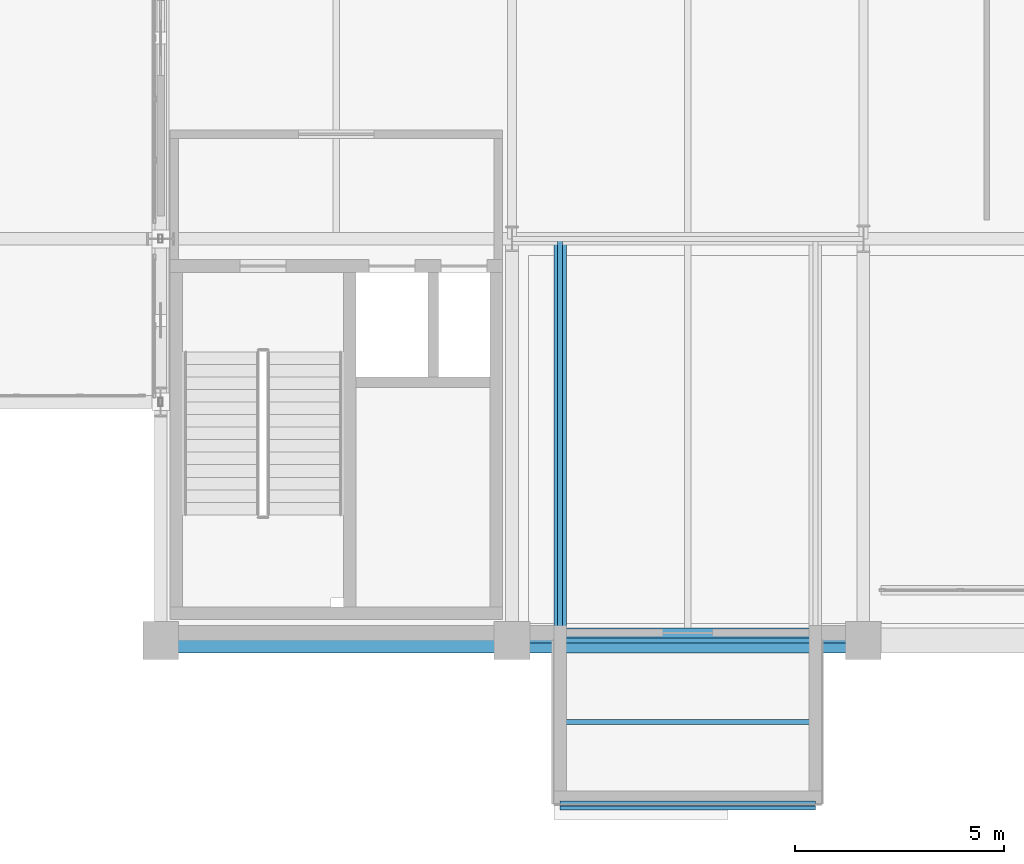
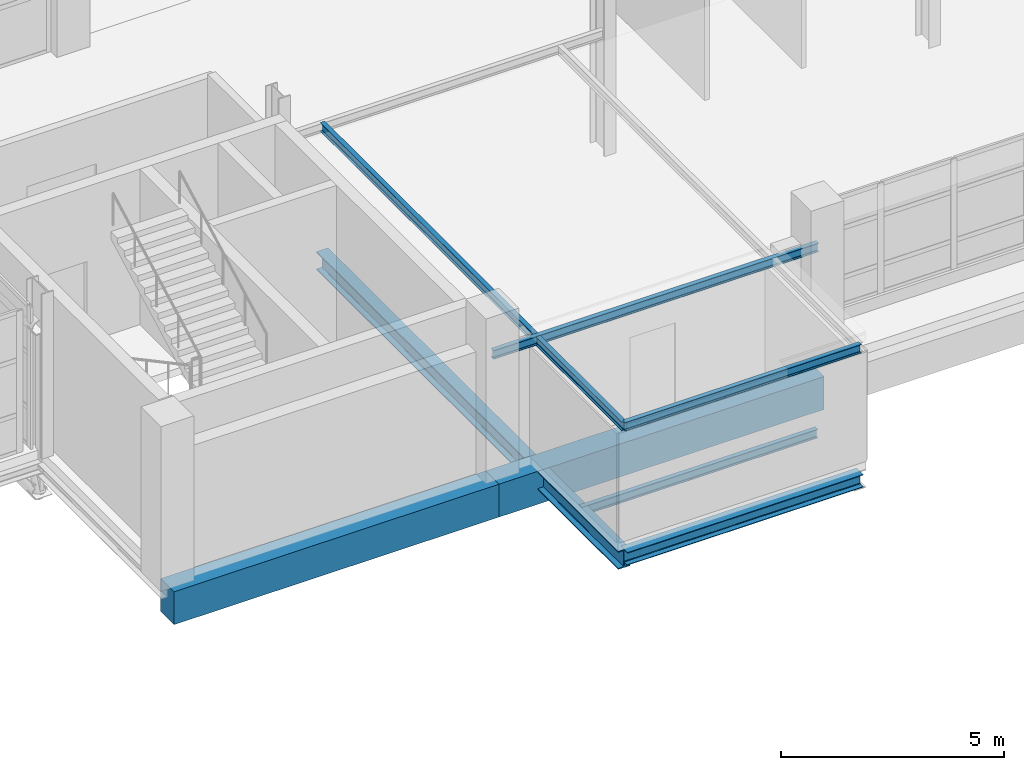
# One storey, part 25 of 130: 8 beams.
"""IFC4 building model written with IfcOpenShell, lengths in metres."""

from ifc_helpers import new_model, si_unit, direction, frame, origin, origin_2d, place, context, subcontext, project, spatial, rectangle, i_section, extrude, material, material_profile, profile_set, type_object, element, save


model = new_model("IFC4")

# Units and contexts
model_context = context("Model", 3, precision=1e-05, world=origin(), true_north=direction((0.0, 1.0)))
body_context = subcontext(model_context, "Body", "Model", "MODEL_VIEW")
ifc_project = project(units=[si_unit("LENGTHUNIT", "METRE"), si_unit("AREAUNIT", "SQUARE_METRE"), si_unit("VOLUMEUNIT", "CUBIC_METRE"), si_unit("PLANEANGLEUNIT", "RADIAN"), si_unit("MASSUNIT", "GRAM", prefix="KILO")], contexts=[model_context])

# Site, building, storey
site_placement = place(None, origin())
site = spatial("IfcSite", under=ifc_project, at=site_placement, CompositionType="ELEMENT")
building_placement = place(site_placement, origin())
building = spatial("IfcBuilding", under=site, at=building_placement, Name="Veltarok Museum of Natural Sciences", CompositionType="ELEMENT")
storey_placement = place(building_placement, frame((0.0, 0.0, 12.89990234375)))
storey = spatial("IfcBuildingStorey", under=building, at=storey_placement, Name="L02", CompositionType="ELEMENT", Elevation=12.89990234375)

# Beams
ifc_material_1 = material(Name="Steel S355J2", Category="steel")
ifc_material_profile_1 = material_profile(ifc_material_1, i_section(OverallWidth=0.300048828125, OverallDepth=0.5, WebThickness=0.014404296875, FlangeThickness=0.028076171875, FilletRadius=0.027099609375, at=origin_2d()), Name="HEB 500")
ifc_profile_set_1 = profile_set([ifc_material_profile_1], Name="Steel S355J2")
beam_type_1 = type_object("IfcBeamType", Name="Cabinet Box Cantilever Girder HEB 500", PredefinedType="BEAM", material=ifc_profile_set_1)
beam_1_placement = place(storey_placement, frame((41.14990234375, -3.89990234375, -0.5), z_axis=(0.0, 1.0, 0.0), x_axis=(-1.0, 0.0, 0.0)))
element("IfcBeam", 1, at=beam_1_placement, inside=storey, type_object=beam_type_1, Name="Cabinet Cantilever Girder DB-07-1", PredefinedType="BEAM", context=body_context, shape_type="SweptSolid", body=[
    extrude(i_section(OverallWidth=0.300048828125, OverallDepth=0.5, WebThickness=0.014404296875, FlangeThickness=0.028076171875, FilletRadius=0.027099609375, at=origin_2d()), origin(), (0.0, 0.0, 1.0), 13.5),
])
ifc_material_profile_2 = material_profile(ifc_material_1, i_section(OverallWidth=0.1201171875, OverallDepth=0.239990234375, WebThickness=0.006103515625, FlangeThickness=0.009765625, FilletRadius=0.014892578125, at=origin_2d()), Name="IPE 240")
ifc_profile_set_2 = profile_set([ifc_material_profile_2], Name="Steel S355J2")
beam_type_2 = type_object("IfcBeamType", Name="Cabinet Box Secondary Joist IPE 240", PredefinedType="JOIST", material=ifc_profile_set_2)
beam_2_placement = place(storey_placement, frame((41.14990234375, -3.89990234375, 3.130126953125), z_axis=(0.0, 1.0, 0.0), x_axis=(-1.0, 0.0, 0.0)))
element("IfcBeam", 2, at=beam_2_placement, inside=storey, type_object=beam_type_2, Name="Cabinet Roof Rafter DB-07-1", PredefinedType="JOIST", context=body_context, shape_type="SweptSolid", body=[
    extrude(i_section(OverallWidth=0.1201171875, OverallDepth=0.239990234375, WebThickness=0.006103515625, FlangeThickness=0.009765625, FilletRadius=0.014892578125, at=origin_2d()), origin(), (0.0, 0.0, 1.0), 13.5),
])
beam_3_placement = place(storey_placement, frame((40.0, 0.0, 3.130126953125), z_axis=(1.0, 0.0, 0.0), x_axis=(0.0, 1.0, 0.0)))
element("IfcBeam", 3, at=beam_3_placement, inside=storey, type_object=beam_type_2, Name="Cabinet Roof Tie Beam DB-07-P", PredefinedType="JOIST", context=body_context, shape_type="SweptSolid", body=[
    extrude(i_section(OverallWidth=0.1201171875, OverallDepth=0.239990234375, WebThickness=0.006103515625, FlangeThickness=0.009765625, FilletRadius=0.014892578125, at=origin_2d()), origin(), (0.0, 0.0, 1.0), 8.39990234375),
])
for number, where, z_axis, x_axis, name in (
    (4, (41.14990234375, -3.89990234375, 3.130126953125), (1.0, 0.0, 0.0), (0.0, 1.0, 0.0), "Cabinet Roof Tip Header DB-07"),
    (5, (41.14990234375, -1.949951171875, -0.369873046875), (1.0, 0.0, 0.0), (0.0, 1.0, 0.0), "Cabinet Box Joist DB-07"),
):
    element("IfcBeam", number, at=place(storey_placement, frame(where, z_axis=z_axis, x_axis=x_axis)), inside=storey, type_object=beam_type_2, Name=name, PredefinedType="JOIST", context=body_context, shape_type="SweptSolid", body=[
        extrude(i_section(OverallWidth=0.1201171875, OverallDepth=0.239990234375, WebThickness=0.006103515625, FlangeThickness=0.009765625, FilletRadius=0.014892578125, at=origin_2d()), origin(), (0.0, 0.0, 1.0), 6.10009765625),
    ])
ifc_material_profile_3 = material_profile(ifc_material_1, i_section(OverallWidth=0.300048828125, OverallDepth=0.35009765625, WebThickness=0.010009765625, FlangeThickness=0.017578125, FilletRadius=0.027099609375, at=origin_2d()), Name="HEA 360")
ifc_profile_set_3 = profile_set([ifc_material_profile_3], Name="Steel S355J2")
beam_type_3 = type_object("IfcBeamType", Name="Cabinet Box Tip Header HEA 360", PredefinedType="BEAM", material=ifc_profile_set_3)
beam_4_placement = place(storey_placement, frame((41.14990234375, -3.89990234375, -0.4248046875), z_axis=(1.0, 0.0, 0.0), x_axis=(0.0, 1.0, 0.0)))
element("IfcBeam", 6, at=beam_4_placement, inside=storey, type_object=beam_type_3, Name="Cabinet Tip Header DB-07", PredefinedType="BEAM", context=body_context, shape_type="SweptSolid", body=[
    extrude(i_section(OverallWidth=0.300048828125, OverallDepth=0.35009765625, WebThickness=0.010009765625, FlangeThickness=0.017578125, FilletRadius=0.027099609375, at=origin_2d()), origin(), (0.0, 0.0, 1.0), 6.10009765625),
])
ifc_material_2 = material(Name="Concrete C40/50", Category="concrete")
ifc_material_profile_4 = material_profile(ifc_material_2, rectangle(XDim=0.60009765625, YDim=0.89990234375, at=origin_2d()), Name="RC 600x900")
ifc_profile_set_4 = profile_set([ifc_material_profile_4], Name="Concrete C40/50")
beam_type_4 = type_object("IfcBeamType", Name="Exposed Cabinet Perimeter Spandrel RC 600x900", PredefinedType="SPANDREL", material=ifc_profile_set_4)
for number, where, z_axis, x_axis, name in (
    (7, (31.60009765625, 0.0, -0.699951171875), (1.0, 0.0, 0.0), (0.0, 1.0, 0.0), "Beam BM-SP01 L02 4-5/A"),
    (8, (40.0, 0.0, -0.699951171875), (1.0, 0.0, 0.0), (0.0, 1.0, 0.0), "Beam BM-SP01 L02 5-6/A"),
):
    element("IfcBeam", number, at=place(storey_placement, frame(where, z_axis=z_axis, x_axis=x_axis)), inside=storey, type_object=beam_type_4, Name=name, PredefinedType="SPANDREL", context=body_context, shape_type="SweptSolid", body=[
        extrude(rectangle(XDim=0.60009765625, YDim=0.89990234375, at=origin_2d()), origin(), (0.0, 0.0, 1.0), 8.39990234375),
    ])

save(model, "model.ifc")
